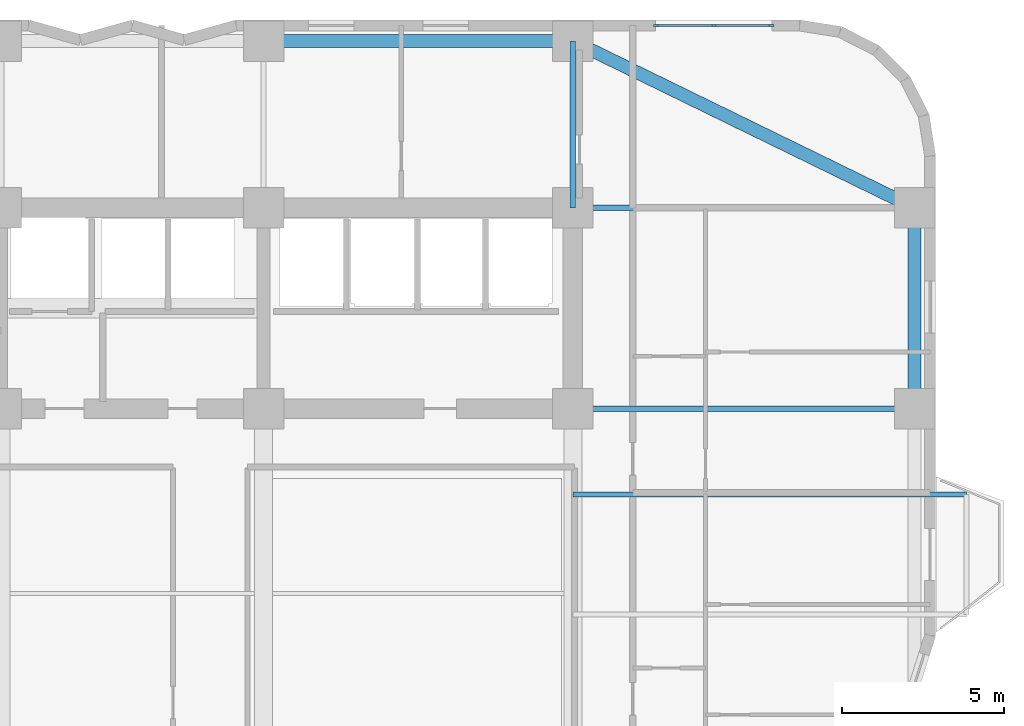
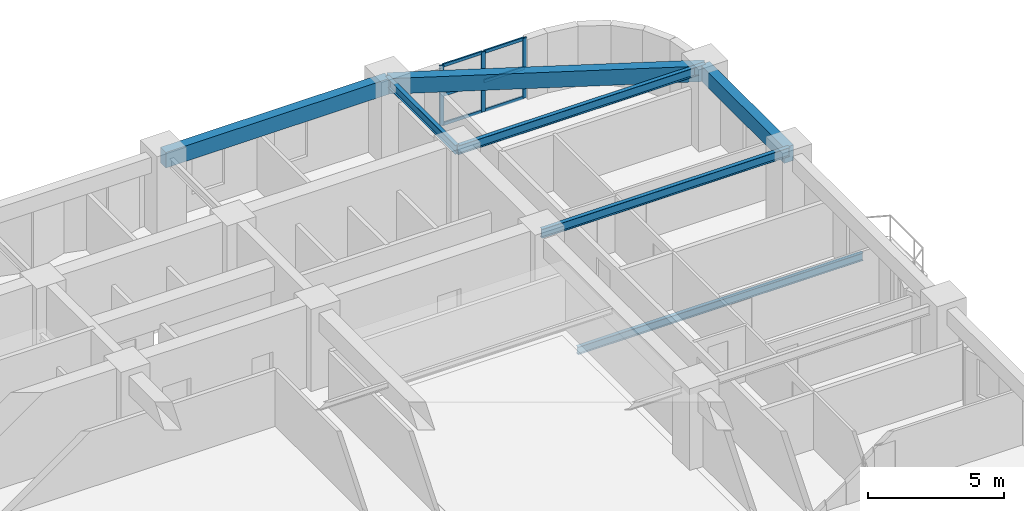
# One storey, part 4 of 13: 9 members, 7 beams, 1 element without a shape of its own.
"""IFC4 building model written with IfcOpenShell, lengths in metres."""

from ifc_helpers import new_model, si_unit, direction, frame, origin, origin_2d, place, context, subcontext, project, spatial, rectangle, i_section, extrude, material, material_profile, profile_set, type_object, element, aggregate, save


model = new_model("IFC4")

# Units and contexts
model_context = context("Model", 3, precision=1e-05, world=origin(), true_north=direction((0.0, 1.0)))
body_context = subcontext(model_context, "Body", "Model", "MODEL_VIEW")
ifc_project = project(units=[si_unit("LENGTHUNIT", "METRE"), si_unit("AREAUNIT", "SQUARE_METRE"), si_unit("VOLUMEUNIT", "CUBIC_METRE"), si_unit("PLANEANGLEUNIT", "RADIAN"), si_unit("MASSUNIT", "GRAM", prefix="KILO")], contexts=[model_context])

# Site, building, storey
site_placement = place(None, origin())
site = spatial("IfcSite", under=ifc_project, at=site_placement, CompositionType="ELEMENT")
building_placement = place(site_placement, origin())
building = spatial("IfcBuilding", under=site, at=building_placement, Name="Svetorya Sky Lyceum", CompositionType="ELEMENT")
storey_placement = place(building_placement, frame((0.0, 0.0, 58.39990234375)))
storey = spatial("IfcBuildingStorey", under=building, at=storey_placement, Name="L14", CompositionType="ELEMENT", Elevation=58.39990234375)

# Beams
ifc_material_1 = material(Name="Concrete C50/60", Category="concrete")
ifc_material_profile_1 = material_profile(ifc_material_1, rectangle(XDim=0.39990234375, YDim=0.699951171875, at=origin_2d()), Name="RC SPANDREL 400x700")
ifc_profile_set_1 = profile_set([ifc_material_profile_1], Name="Concrete C50/60")
beam_type_1 = type_object("IfcBeamType", Name="BM-SPN-700", PredefinedType="SPANDREL", material=ifc_profile_set_1)
beam_1_placement = place(storey_placement, frame((43.25, 50.949951171875, 3.070068359375), z_axis=(1.0, 0.0, 0.0), x_axis=(0.0, 1.0, 0.0)))
element("IfcBeam", 1, at=beam_1_placement, inside=storey, type_object=beam_type_1, Name="L14 North Spandrel 3", PredefinedType="SPANDREL", context=body_context, shape_type="SweptSolid", body=[
    extrude(rectangle(XDim=0.39990234375, YDim=0.699951171875, at=origin_2d()), origin(), (0.0, 0.0, 1.0), 9.550048828125),
])
beam_2_placement = place(storey_placement, frame((63.35009765625, 45.800048828125, 3.070068359375), z_axis=(-0.898649693653, 0.438666989978, 0.0), x_axis=(-0.438666989978, -0.898649693653, 0.0)))
element("IfcBeam", 2, at=beam_2_placement, inside=storey, type_object=beam_type_1, Name="L14 Corner Spandrel 3", PredefinedType="SPANDREL", context=body_context, shape_type="SweptSolid", body=[
    extrude(rectangle(XDim=0.39990234375, YDim=0.699951171875, at=origin_2d()), origin(), (0.0, 0.0, 1.0), 11.739990234375),
])
beam_3_placement = place(storey_placement, frame((63.35009765625, 39.60009765625, 3.070068359375), z_axis=(0.0, 1.0, 0.0), x_axis=(-1.0, 0.0, 0.0)))
element("IfcBeam", 3, at=beam_3_placement, inside=storey, type_object=beam_type_1, Name="L14 East Spandrel 4", PredefinedType="SPANDREL", context=body_context, shape_type="SweptSolid", body=[
    extrude(rectangle(XDim=0.39990234375, YDim=0.699951171875, at=origin_2d()), origin(), (0.0, 0.0, 1.0), 6.199951171875),
])
ifc_material_2 = material(Name="Steel S355", Category="steel")
ifc_material_profile_2 = material_profile(ifc_material_2, i_section(OverallWidth=0.155029296875, OverallDepth=0.34912109375, WebThickness=0.007080078125, FlangeThickness=0.011474609375, at=origin_2d()), Name="GOST 35B2")
ifc_profile_set_2 = profile_set([ifc_material_profile_2], Name="Steel S355")
beam_type_2 = type_object("IfcBeamType", Name="BM-STL-35B2", PredefinedType="JOIST", material=ifc_profile_set_2)
beam_4_placement = place(storey_placement, frame((52.800048828125, 36.949951171875, -0.454345703125), z_axis=(1.0, 0.0, 0.0), x_axis=(0.0, 1.0, 0.0)))
element("IfcBeam", 4, at=beam_4_placement, inside=storey, type_object=beam_type_2, Name="L14 Balcony Cantilever Beam BAL-E1-2", PredefinedType="JOIST", context=body_context, shape_type="SweptSolid", body=[
    extrude(i_section(OverallWidth=0.155029296875, OverallDepth=0.34912109375, WebThickness=0.007080078125, FlangeThickness=0.011474609375, at=origin_2d()), origin(), (0.0, 0.0, 1.0), 12.14990234375),
])
ifc_material_profile_3 = material_profile(ifc_material_2, i_section(OverallWidth=0.1650390625, OverallDepth=0.39990234375, WebThickness=0.008056640625, FlangeThickness=0.012939453125, at=origin_2d()), Name="GOST 40B2")
ifc_profile_set_3 = profile_set([ifc_material_profile_3], Name="Steel S355")
beam_type_3 = type_object("IfcBeamType", Name="BM-STL-40B2", PredefinedType="JOIST", material=ifc_profile_set_3)
for number, where, z_axis, x_axis, name in (
    (5, (52.800048828125, 39.60009765625, 3.22021484375), (1.0, 0.0, 0.0), (0.0, 1.0, 0.0), "L14 East Wing Floor Joist E4"),
    (6, (52.800048828125, 45.800048828125, 3.22021484375), (1.0, 0.0, 0.0), (0.0, 1.0, 0.0), "L14 East Wing Floor Joist E5"),
):
    element("IfcBeam", number, at=place(storey_placement, frame(where, z_axis=z_axis, x_axis=x_axis)), inside=storey, type_object=beam_type_3, Name=name, PredefinedType="JOIST", context=body_context, shape_type="SweptSolid", body=[
        extrude(i_section(OverallWidth=0.1650390625, OverallDepth=0.39990234375, WebThickness=0.008056640625, FlangeThickness=0.012939453125, at=origin_2d()), origin(), (0.0, 0.0, 1.0), 10.550048828125),
    ])
beam_5_placement = place(storey_placement, frame((52.800048828125, 45.800048828125, 3.22021484375), z_axis=(0.0, 1.0, 0.0), x_axis=(-1.0, 0.0, 0.0)))
element("IfcBeam", 7, at=beam_5_placement, inside=storey, type_object=beam_type_3, Name="L14 North Bay Floor Girder N4", PredefinedType="JOIST", context=body_context, shape_type="SweptSolid", body=[
    extrude(i_section(OverallWidth=0.1650390625, OverallDepth=0.39990234375, WebThickness=0.008056640625, FlangeThickness=0.012939453125, at=origin_2d()), origin(), (0.0, 0.0, 1.0), 5.14990234375),
])

# Curtain wall, members
ifc_material_3 = material(Name="Thermally broken anodized aluminium and triple low-E glass", Category="aluminium")
curtain_wall_type = type_object("IfcCurtainWallType", Name="CW3-LOG-RES", PredefinedType="NOTDEFINED", material=ifc_material_3)
curtain_wall_placement = place(storey_placement, origin())
curtain_wall = element("IfcCurtainWall", 8, at=curtain_wall_placement, inside=storey, type_object=curtain_wall_type, Name="L14 Recessed Loggia Curtain Wall 29", PredefinedType="NOTDEFINED")
ifc_material_4 = material(Name="Thermally broken anodized aluminium EN AW-6060", Category="aluminium")
ifc_material_profile_4 = material_profile(ifc_material_4, rectangle(XDim=0.06494140625, YDim=0.179931640625, at=origin_2d()), Name="ALU MULLION 65x180")
ifc_profile_set_4 = profile_set([ifc_material_profile_4], Name="Thermally broken anodized aluminium EN AW-6060")
member_type_1 = type_object("IfcMemberType", Name="CWM-MUL-180", PredefinedType="MULLION", material=ifc_profile_set_4)
member_1_placement = place(storey_placement, frame((58.91748046875, 51.429931640625, 0.0), z_axis=(0.0, 0.0, 1.0), x_axis=(0.0, -1.0, 0.0)))
member_1 = element("IfcMember", 9, at=member_1_placement, type_object=member_type_1, Name="CW-3 mullion 1", PredefinedType="MULLION", context=body_context, shape_type="SweptSolid", body=[
    extrude(rectangle(XDim=0.06494140625, YDim=0.179931640625, at=origin_2d()), origin(), (0.0, 0.0, 1.0), 2.7001953125),
])
member_2_placement = place(storey_placement, frame((57.14990234375, 51.429931640625, 0.0), z_axis=(0.0, 0.0, 1.0), x_axis=(0.0, -1.0, 0.0)))
member_2 = element("IfcMember", 10, at=member_2_placement, type_object=member_type_1, Name="CW-3 mullion 2", PredefinedType="MULLION", context=body_context, shape_type="SweptSolid", body=[
    extrude(rectangle(XDim=0.06494140625, YDim=0.179931640625, at=origin_2d()), origin(), (0.0, 0.0, 1.0), 2.7001953125),
])
member_3_placement = place(storey_placement, frame((55.382568359375, 51.429931640625, 0.0), z_axis=(0.0, 0.0, 1.0), x_axis=(0.0, -1.0, 0.0)))
member_3 = element("IfcMember", 11, at=member_3_placement, type_object=member_type_1, Name="CW-3 mullion 3", PredefinedType="MULLION", context=body_context, shape_type="SweptSolid", body=[
    extrude(rectangle(XDim=0.06494140625, YDim=0.179931640625, at=origin_2d()), origin(), (0.0, 0.0, 1.0), 2.7001953125),
])
ifc_material_profile_5 = material_profile(ifc_material_4, rectangle(XDim=0.06494140625, YDim=0.139892578125, at=origin_2d()), Name="ALU TRANSOM 65x140")
ifc_profile_set_5 = profile_set([ifc_material_profile_5], Name="Thermally broken anodized aluminium EN AW-6060")
member_type_2 = type_object("IfcMemberType", Name="CWM-TRN-140", PredefinedType="USERDEFINED", material=ifc_profile_set_5)
member_4_placement = place(storey_placement, frame((58.886474609375, 51.429931640625, 0.03271484375), z_axis=(-1.0, 0.0, 0.0), x_axis=(0.0, -1.0, 0.0)))
member_4 = element("IfcMember", 12, at=member_4_placement, type_object=member_type_2, Name="CW-3 transom 1.1", ObjectType="TRANSOM", PredefinedType="USERDEFINED", context=body_context, shape_type="SweptSolid", body=[
    extrude(rectangle(XDim=0.06494140625, YDim=0.139892578125, at=origin_2d()), origin(), (0.0, 0.0, 1.0), 1.70556640625),
])
member_5_placement = place(storey_placement, frame((58.886474609375, 51.429931640625, 1.35009765625), z_axis=(-1.0, 0.0, 0.0), x_axis=(0.0, -1.0, 0.0)))
member_5 = element("IfcMember", 13, at=member_5_placement, type_object=member_type_2, Name="CW-3 transom 1.2", ObjectType="TRANSOM", PredefinedType="USERDEFINED", context=body_context, shape_type="SweptSolid", body=[
    extrude(rectangle(XDim=0.06494140625, YDim=0.139892578125, at=origin_2d()), origin(), (0.0, 0.0, 1.0), 1.70556640625),
])
member_6_placement = place(storey_placement, frame((58.886474609375, 51.429931640625, 2.66748046875), z_axis=(-1.0, 0.0, 0.0), x_axis=(0.0, -1.0, 0.0)))
member_6 = element("IfcMember", 14, at=member_6_placement, type_object=member_type_2, Name="CW-3 transom 1.3", ObjectType="TRANSOM", PredefinedType="USERDEFINED", context=body_context, shape_type="SweptSolid", body=[
    extrude(rectangle(XDim=0.06494140625, YDim=0.139892578125, at=origin_2d()), origin(), (0.0, 0.0, 1.0), 1.70556640625),
])
member_7_placement = place(storey_placement, frame((57.118896484375, 51.429931640625, 0.03271484375), z_axis=(-1.0, 0.0, 0.0), x_axis=(0.0, -1.0, 0.0)))
member_7 = element("IfcMember", 15, at=member_7_placement, type_object=member_type_2, Name="CW-3 transom 2.1", ObjectType="TRANSOM", PredefinedType="USERDEFINED", context=body_context, shape_type="SweptSolid", body=[
    extrude(rectangle(XDim=0.06494140625, YDim=0.139892578125, at=origin_2d()), origin(), (0.0, 0.0, 1.0), 1.705322265625),
])
member_8_placement = place(storey_placement, frame((57.118896484375, 51.429931640625, 1.35009765625), z_axis=(-1.0, 0.0, 0.0), x_axis=(0.0, -1.0, 0.0)))
member_8 = element("IfcMember", 16, at=member_8_placement, type_object=member_type_2, Name="CW-3 transom 2.2", ObjectType="TRANSOM", PredefinedType="USERDEFINED", context=body_context, shape_type="SweptSolid", body=[
    extrude(rectangle(XDim=0.06494140625, YDim=0.139892578125, at=origin_2d()), origin(), (0.0, 0.0, 1.0), 1.705322265625),
])
member_9_placement = place(storey_placement, frame((57.118896484375, 51.429931640625, 2.66748046875), z_axis=(-1.0, 0.0, 0.0), x_axis=(0.0, -1.0, 0.0)))
member_9 = element("IfcMember", 17, at=member_9_placement, type_object=member_type_2, Name="CW-3 transom 2.3", ObjectType="TRANSOM", PredefinedType="USERDEFINED", context=body_context, shape_type="SweptSolid", body=[
    extrude(rectangle(XDim=0.06494140625, YDim=0.139892578125, at=origin_2d()), origin(), (0.0, 0.0, 1.0), 1.705322265625),
])
aggregate(curtain_wall, [member_1, member_2, member_3, member_4, member_5, member_6, member_7, member_8, member_9])

save(model, "model.ifc")
